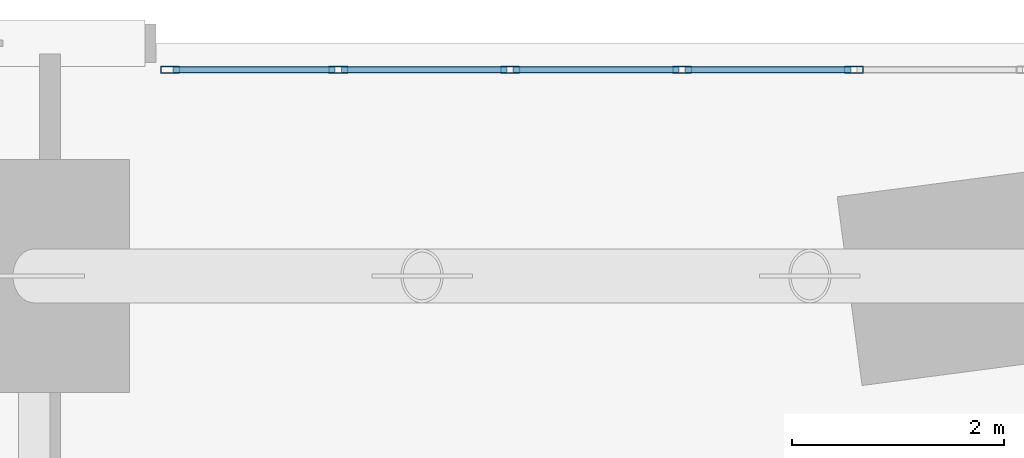
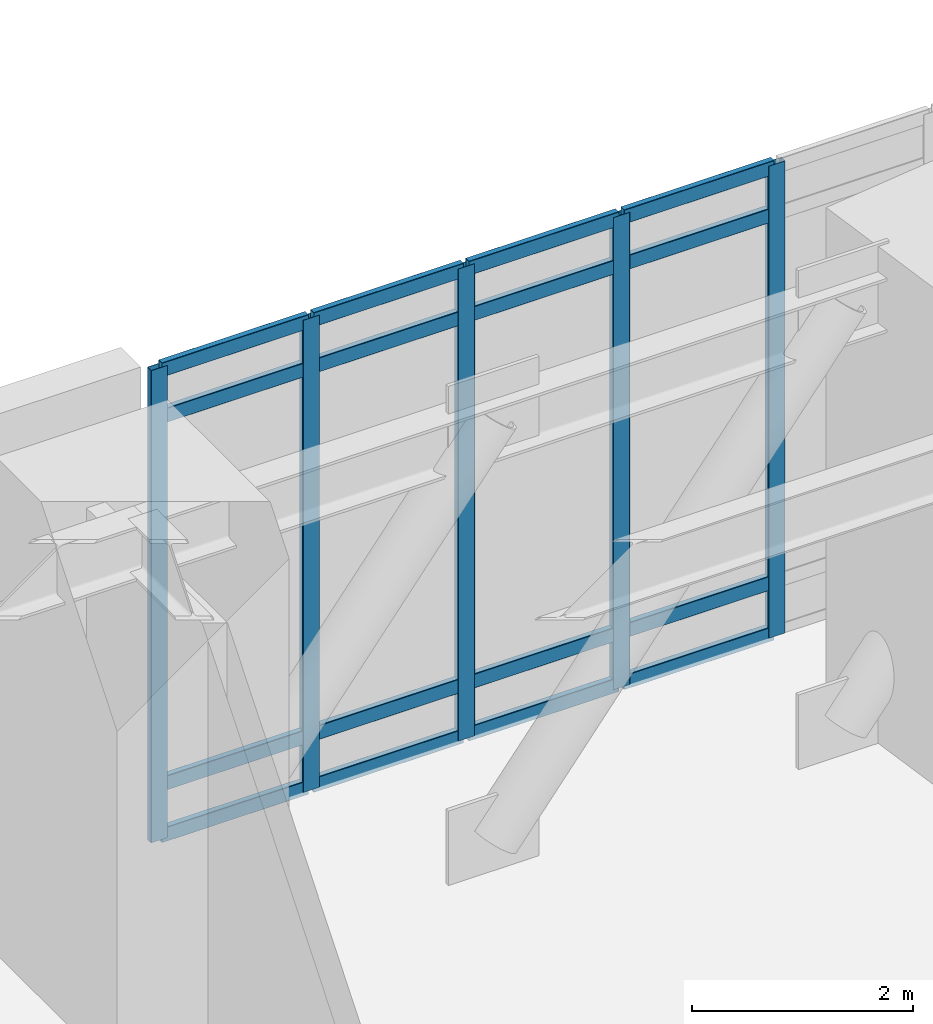
# One storey, part 8 of 19: 21 members, 1 element without a shape of its own.
"""IFC4 building model written with IfcOpenShell, lengths in metres."""

from ifc_helpers import new_model, si_unit, direction, frame, origin, origin_2d, place, context, subcontext, project, spatial, hollow_rectangle, extrude, material, layer, layer_set, material_profile, profile_set, type_object, element, aggregate, save


model = new_model("IFC4")

# Units and contexts
model_context = context("Model", 3, precision=1e-05, world=origin(), true_north=direction((0.0, 1.0)))
body_context = subcontext(model_context, "Body", "Model", "MODEL_VIEW")
ifc_project = project(units=[si_unit("LENGTHUNIT", "METRE"), si_unit("AREAUNIT", "SQUARE_METRE"), si_unit("VOLUMEUNIT", "CUBIC_METRE"), si_unit("PLANEANGLEUNIT", "RADIAN"), si_unit("MASSUNIT", "GRAM", prefix="KILO")], contexts=[model_context])

# Site, building, storey
site_placement = place(None, origin())
site = spatial("IfcSite", under=ifc_project, at=site_placement, CompositionType="ELEMENT")
building_placement = place(site_placement, origin())
building = spatial("IfcBuilding", under=site, at=building_placement, Name="Ndelora Gate Hotel", CompositionType="ELEMENT")
storey_placement = place(building_placement, frame((0.0, 0.0, 16.0)))
storey = spatial("IfcBuildingStorey", under=building, at=storey_placement, Name="L03", CompositionType="ELEMENT", Elevation=16.0)

# Curtain wall, members
ifc_material_1 = material(Name="Bronze Anodised Unitised Aluminium and Low-E Glass", Category="aluminium")
ifc_layer = layer(ifc_material_1, 0.219970703125)
ifc_layer_set = layer_set([ifc_layer], Name="Bronze Anodised Unitised Aluminium and Low-E Glass")
curtain_wall_type = type_object("IfcCurtainWallType", Name="CW-SYS-2", PredefinedType="NOTDEFINED", material=ifc_layer_set)
curtain_wall_placement = place(storey_placement, origin())
curtain_wall = element("IfcCurtainWall", 1, at=curtain_wall_placement, inside=storey, type_object=curtain_wall_type, Name="L03 North Banquet Pre-Function Curtain Wall CW2", PredefinedType="NOTDEFINED")
ifc_material_2 = material(Name="Bronze Anodised Aluminium 6063-T6", Category="aluminium")
ifc_material_profile_1 = material_profile(ifc_material_2, hollow_rectangle(XDim=0.070068359375, YDim=0.179931640625, WallThickness=0.0048828125, InnerFilletRadius=0.0048828125, OuterFilletRadius=0.010009765625, at=origin_2d()), Name="ALU 180x70x5")
ifc_profile_set_1 = profile_set([ifc_material_profile_1], Name="Bronze Anodised Aluminium 6063-T6")
member_type_1 = type_object("IfcMemberType", Name="MB-CW-MUL180", PredefinedType="MULLION", material=ifc_profile_set_1)
member_1_placement = place(storey_placement, frame((-3.25, 20.75, -0.00390625), z_axis=(0.0, 0.0, 1.0), x_axis=(0.0, -1.0, 0.0)))
member_1 = element("IfcMember", 2, at=member_1_placement, type_object=member_type_1, Name="CW2 mullion 9", PredefinedType="MULLION", context=body_context, shape_type="SweptSolid", body=[
    extrude(hollow_rectangle(XDim=0.070068359375, YDim=0.179931640625, WallThickness=0.0048828125, InnerFilletRadius=0.0048828125, OuterFilletRadius=0.010009765625, at=origin_2d()), origin(), (0.0, 0.0, 1.0), 5.22802734375),
])
member_2_placement = place(storey_placement, frame((-4.875, 20.75, -0.00390625), z_axis=(0.0, 0.0, 1.0), x_axis=(0.0, -1.0, 0.0)))
member_2 = element("IfcMember", 3, at=member_2_placement, type_object=member_type_1, Name="CW2 mullion 10", PredefinedType="MULLION", context=body_context, shape_type="SweptSolid", body=[
    extrude(hollow_rectangle(XDim=0.070068359375, YDim=0.179931640625, WallThickness=0.0048828125, InnerFilletRadius=0.0048828125, OuterFilletRadius=0.010009765625, at=origin_2d()), origin(), (0.0, 0.0, 1.0), 5.22802734375),
])
member_3_placement = place(storey_placement, frame((-6.5, 20.75, -0.00390625), z_axis=(0.0, 0.0, 1.0), x_axis=(0.0, -1.0, 0.0)))
member_3 = element("IfcMember", 4, at=member_3_placement, type_object=member_type_1, Name="CW2 mullion 11", PredefinedType="MULLION", context=body_context, shape_type="SweptSolid", body=[
    extrude(hollow_rectangle(XDim=0.070068359375, YDim=0.179931640625, WallThickness=0.0048828125, InnerFilletRadius=0.0048828125, OuterFilletRadius=0.010009765625, at=origin_2d()), origin(), (0.0, 0.0, 1.0), 5.22802734375),
])
member_4_placement = place(storey_placement, frame((-8.125, 20.75, -0.00390625), z_axis=(0.0, 0.0, 1.0), x_axis=(0.0, -1.0, 0.0)))
member_4 = element("IfcMember", 5, at=member_4_placement, type_object=member_type_1, Name="CW2 mullion 12", PredefinedType="MULLION", context=body_context, shape_type="SweptSolid", body=[
    extrude(hollow_rectangle(XDim=0.070068359375, YDim=0.179931640625, WallThickness=0.0048828125, InnerFilletRadius=0.0048828125, OuterFilletRadius=0.010009765625, at=origin_2d()), origin(), (0.0, 0.0, 1.0), 5.22802734375),
])
member_5_placement = place(storey_placement, frame((-9.715087890625, 20.75, -0.00390625), z_axis=(0.0, 0.0, 1.0), x_axis=(0.0, -1.0, 0.0)))
member_5 = element("IfcMember", 6, at=member_5_placement, type_object=member_type_1, Name="CW2 mullion 13", PredefinedType="MULLION", context=body_context, shape_type="SweptSolid", body=[
    extrude(hollow_rectangle(XDim=0.070068359375, YDim=0.179931640625, WallThickness=0.0048828125, InnerFilletRadius=0.0048828125, OuterFilletRadius=0.010009765625, at=origin_2d()), origin(), (0.0, 0.0, 1.0), 5.22802734375),
])
ifc_material_profile_2 = material_profile(ifc_material_2, hollow_rectangle(XDim=0.06494140625, YDim=0.159912109375, WallThickness=0.00390625, InnerFilletRadius=0.00390625, OuterFilletRadius=0.008056640625, at=origin_2d()), Name="ALU 160x65x4")
ifc_profile_set_2 = profile_set([ifc_material_profile_2], Name="Bronze Anodised Aluminium 6063-T6")
member_type_2 = type_object("IfcMemberType", Name="MB-CW-TRN150", PredefinedType="USERDEFINED", material=ifc_profile_set_2)
member_6_placement = place(storey_placement, frame((-3.279052734375, 20.75, 0.032470703125), z_axis=(-1.0, 0.0, 0.0), x_axis=(0.0, -1.0, 0.0)))
member_6 = element("IfcMember", 7, at=member_6_placement, type_object=member_type_2, Name="CW2 transom 9.1", ObjectType="TRANSOM", PredefinedType="USERDEFINED", context=body_context, shape_type="SweptSolid", body=[
    extrude(hollow_rectangle(XDim=0.06494140625, YDim=0.159912109375, WallThickness=0.00390625, InnerFilletRadius=0.00390625, OuterFilletRadius=0.008056640625, at=origin_2d()), origin(), (0.0, 0.0, 1.0), 1.56689453125),
])
member_7_placement = place(storey_placement, frame((-3.279052734375, 20.75, 0.60009765625), z_axis=(-1.0, 0.0, 0.0), x_axis=(0.0, -1.0, 0.0)))
member_7 = element("IfcMember", 8, at=member_7_placement, type_object=member_type_2, Name="CW2 transom 9.2", ObjectType="TRANSOM", PredefinedType="USERDEFINED", context=body_context, shape_type="SweptSolid", body=[
    extrude(hollow_rectangle(XDim=0.06494140625, YDim=0.159912109375, WallThickness=0.00390625, InnerFilletRadius=0.00390625, OuterFilletRadius=0.008056640625, at=origin_2d()), origin(), (0.0, 0.0, 1.0), 1.56689453125),
])
member_8_placement = place(storey_placement, frame((-3.279052734375, 20.75, 4.669921875), z_axis=(-1.0, 0.0, 0.0), x_axis=(0.0, -1.0, 0.0)))
member_8 = element("IfcMember", 9, at=member_8_placement, type_object=member_type_2, Name="CW2 transom 9.3", ObjectType="TRANSOM", PredefinedType="USERDEFINED", context=body_context, shape_type="SweptSolid", body=[
    extrude(hollow_rectangle(XDim=0.06494140625, YDim=0.159912109375, WallThickness=0.00390625, InnerFilletRadius=0.00390625, OuterFilletRadius=0.008056640625, at=origin_2d()), origin(), (0.0, 0.0, 1.0), 1.56689453125),
])
member_9_placement = place(storey_placement, frame((-3.279052734375, 20.75, 5.1875), z_axis=(-1.0, 0.0, 0.0), x_axis=(0.0, -1.0, 0.0)))
member_9 = element("IfcMember", 10, at=member_9_placement, type_object=member_type_2, Name="CW2 transom 9.4", ObjectType="TRANSOM", PredefinedType="USERDEFINED", context=body_context, shape_type="SweptSolid", body=[
    extrude(hollow_rectangle(XDim=0.06494140625, YDim=0.159912109375, WallThickness=0.00390625, InnerFilletRadius=0.00390625, OuterFilletRadius=0.008056640625, at=origin_2d()), origin(), (0.0, 0.0, 1.0), 1.56689453125),
])
member_10_placement = place(storey_placement, frame((-4.904052734375, 20.75, 0.032470703125), z_axis=(-1.0, 0.0, 0.0), x_axis=(0.0, -1.0, 0.0)))
member_10 = element("IfcMember", 11, at=member_10_placement, type_object=member_type_2, Name="CW2 transom 10.1", ObjectType="TRANSOM", PredefinedType="USERDEFINED", context=body_context, shape_type="SweptSolid", body=[
    extrude(hollow_rectangle(XDim=0.06494140625, YDim=0.159912109375, WallThickness=0.00390625, InnerFilletRadius=0.00390625, OuterFilletRadius=0.008056640625, at=origin_2d()), origin(), (0.0, 0.0, 1.0), 1.56689453125),
])
member_11_placement = place(storey_placement, frame((-4.904052734375, 20.75, 0.60009765625), z_axis=(-1.0, 0.0, 0.0), x_axis=(0.0, -1.0, 0.0)))
member_11 = element("IfcMember", 12, at=member_11_placement, type_object=member_type_2, Name="CW2 transom 10.2", ObjectType="TRANSOM", PredefinedType="USERDEFINED", context=body_context, shape_type="SweptSolid", body=[
    extrude(hollow_rectangle(XDim=0.06494140625, YDim=0.159912109375, WallThickness=0.00390625, InnerFilletRadius=0.00390625, OuterFilletRadius=0.008056640625, at=origin_2d()), origin(), (0.0, 0.0, 1.0), 1.56689453125),
])
member_12_placement = place(storey_placement, frame((-4.904052734375, 20.75, 4.669921875), z_axis=(-1.0, 0.0, 0.0), x_axis=(0.0, -1.0, 0.0)))
member_12 = element("IfcMember", 13, at=member_12_placement, type_object=member_type_2, Name="CW2 transom 10.3", ObjectType="TRANSOM", PredefinedType="USERDEFINED", context=body_context, shape_type="SweptSolid", body=[
    extrude(hollow_rectangle(XDim=0.06494140625, YDim=0.159912109375, WallThickness=0.00390625, InnerFilletRadius=0.00390625, OuterFilletRadius=0.008056640625, at=origin_2d()), origin(), (0.0, 0.0, 1.0), 1.56689453125),
])
member_13_placement = place(storey_placement, frame((-4.904052734375, 20.75, 5.1875), z_axis=(-1.0, 0.0, 0.0), x_axis=(0.0, -1.0, 0.0)))
member_13 = element("IfcMember", 14, at=member_13_placement, type_object=member_type_2, Name="CW2 transom 10.4", ObjectType="TRANSOM", PredefinedType="USERDEFINED", context=body_context, shape_type="SweptSolid", body=[
    extrude(hollow_rectangle(XDim=0.06494140625, YDim=0.159912109375, WallThickness=0.00390625, InnerFilletRadius=0.00390625, OuterFilletRadius=0.008056640625, at=origin_2d()), origin(), (0.0, 0.0, 1.0), 1.56689453125),
])
member_14_placement = place(storey_placement, frame((-6.529052734375, 20.75, 0.032470703125), z_axis=(-1.0, 0.0, 0.0), x_axis=(0.0, -1.0, 0.0)))
member_14 = element("IfcMember", 15, at=member_14_placement, type_object=member_type_2, Name="CW2 transom 11.1", ObjectType="TRANSOM", PredefinedType="USERDEFINED", context=body_context, shape_type="SweptSolid", body=[
    extrude(hollow_rectangle(XDim=0.06494140625, YDim=0.159912109375, WallThickness=0.00390625, InnerFilletRadius=0.00390625, OuterFilletRadius=0.008056640625, at=origin_2d()), origin(), (0.0, 0.0, 1.0), 1.56689453125),
])
member_15_placement = place(storey_placement, frame((-6.529052734375, 20.75, 0.60009765625), z_axis=(-1.0, 0.0, 0.0), x_axis=(0.0, -1.0, 0.0)))
member_15 = element("IfcMember", 16, at=member_15_placement, type_object=member_type_2, Name="CW2 transom 11.2", ObjectType="TRANSOM", PredefinedType="USERDEFINED", context=body_context, shape_type="SweptSolid", body=[
    extrude(hollow_rectangle(XDim=0.06494140625, YDim=0.159912109375, WallThickness=0.00390625, InnerFilletRadius=0.00390625, OuterFilletRadius=0.008056640625, at=origin_2d()), origin(), (0.0, 0.0, 1.0), 1.56689453125),
])
member_16_placement = place(storey_placement, frame((-6.529052734375, 20.75, 4.669921875), z_axis=(-1.0, 0.0, 0.0), x_axis=(0.0, -1.0, 0.0)))
member_16 = element("IfcMember", 17, at=member_16_placement, type_object=member_type_2, Name="CW2 transom 11.3", ObjectType="TRANSOM", PredefinedType="USERDEFINED", context=body_context, shape_type="SweptSolid", body=[
    extrude(hollow_rectangle(XDim=0.06494140625, YDim=0.159912109375, WallThickness=0.00390625, InnerFilletRadius=0.00390625, OuterFilletRadius=0.008056640625, at=origin_2d()), origin(), (0.0, 0.0, 1.0), 1.56689453125),
])
member_17_placement = place(storey_placement, frame((-6.529052734375, 20.75, 5.1875), z_axis=(-1.0, 0.0, 0.0), x_axis=(0.0, -1.0, 0.0)))
member_17 = element("IfcMember", 18, at=member_17_placement, type_object=member_type_2, Name="CW2 transom 11.4", ObjectType="TRANSOM", PredefinedType="USERDEFINED", context=body_context, shape_type="SweptSolid", body=[
    extrude(hollow_rectangle(XDim=0.06494140625, YDim=0.159912109375, WallThickness=0.00390625, InnerFilletRadius=0.00390625, OuterFilletRadius=0.008056640625, at=origin_2d()), origin(), (0.0, 0.0, 1.0), 1.56689453125),
])
member_18_placement = place(storey_placement, frame((-8.154052734375, 20.75, 0.032470703125), z_axis=(-1.0, 0.0, 0.0), x_axis=(0.0, -1.0, 0.0)))
member_18 = element("IfcMember", 19, at=member_18_placement, type_object=member_type_2, Name="CW2 transom 12.1", ObjectType="TRANSOM", PredefinedType="USERDEFINED", context=body_context, shape_type="SweptSolid", body=[
    extrude(hollow_rectangle(XDim=0.06494140625, YDim=0.159912109375, WallThickness=0.00390625, InnerFilletRadius=0.00390625, OuterFilletRadius=0.008056640625, at=origin_2d()), origin(), (0.0, 0.0, 1.0), 1.531982421875),
])
member_19_placement = place(storey_placement, frame((-8.154052734375, 20.75, 0.60009765625), z_axis=(-1.0, 0.0, 0.0), x_axis=(0.0, -1.0, 0.0)))
member_19 = element("IfcMember", 20, at=member_19_placement, type_object=member_type_2, Name="CW2 transom 12.2", ObjectType="TRANSOM", PredefinedType="USERDEFINED", context=body_context, shape_type="SweptSolid", body=[
    extrude(hollow_rectangle(XDim=0.06494140625, YDim=0.159912109375, WallThickness=0.00390625, InnerFilletRadius=0.00390625, OuterFilletRadius=0.008056640625, at=origin_2d()), origin(), (0.0, 0.0, 1.0), 1.531982421875),
])
member_20_placement = place(storey_placement, frame((-8.154052734375, 20.75, 4.669921875), z_axis=(-1.0, 0.0, 0.0), x_axis=(0.0, -1.0, 0.0)))
member_20 = element("IfcMember", 21, at=member_20_placement, type_object=member_type_2, Name="CW2 transom 12.3", ObjectType="TRANSOM", PredefinedType="USERDEFINED", context=body_context, shape_type="SweptSolid", body=[
    extrude(hollow_rectangle(XDim=0.06494140625, YDim=0.159912109375, WallThickness=0.00390625, InnerFilletRadius=0.00390625, OuterFilletRadius=0.008056640625, at=origin_2d()), origin(), (0.0, 0.0, 1.0), 1.531982421875),
])
member_21_placement = place(storey_placement, frame((-8.154052734375, 20.75, 5.1875), z_axis=(-1.0, 0.0, 0.0), x_axis=(0.0, -1.0, 0.0)))
member_21 = element("IfcMember", 22, at=member_21_placement, type_object=member_type_2, Name="CW2 transom 12.4", ObjectType="TRANSOM", PredefinedType="USERDEFINED", context=body_context, shape_type="SweptSolid", body=[
    extrude(hollow_rectangle(XDim=0.06494140625, YDim=0.159912109375, WallThickness=0.00390625, InnerFilletRadius=0.00390625, OuterFilletRadius=0.008056640625, at=origin_2d()), origin(), (0.0, 0.0, 1.0), 1.531982421875),
])
aggregate(curtain_wall, [member_1, member_2, member_3, member_4, member_5, member_6, member_7, member_8, member_9, member_10, member_11, member_12, member_13, member_14, member_15, member_16, member_17, member_18, member_19, member_20, member_21])

save(model, "model.ifc")
